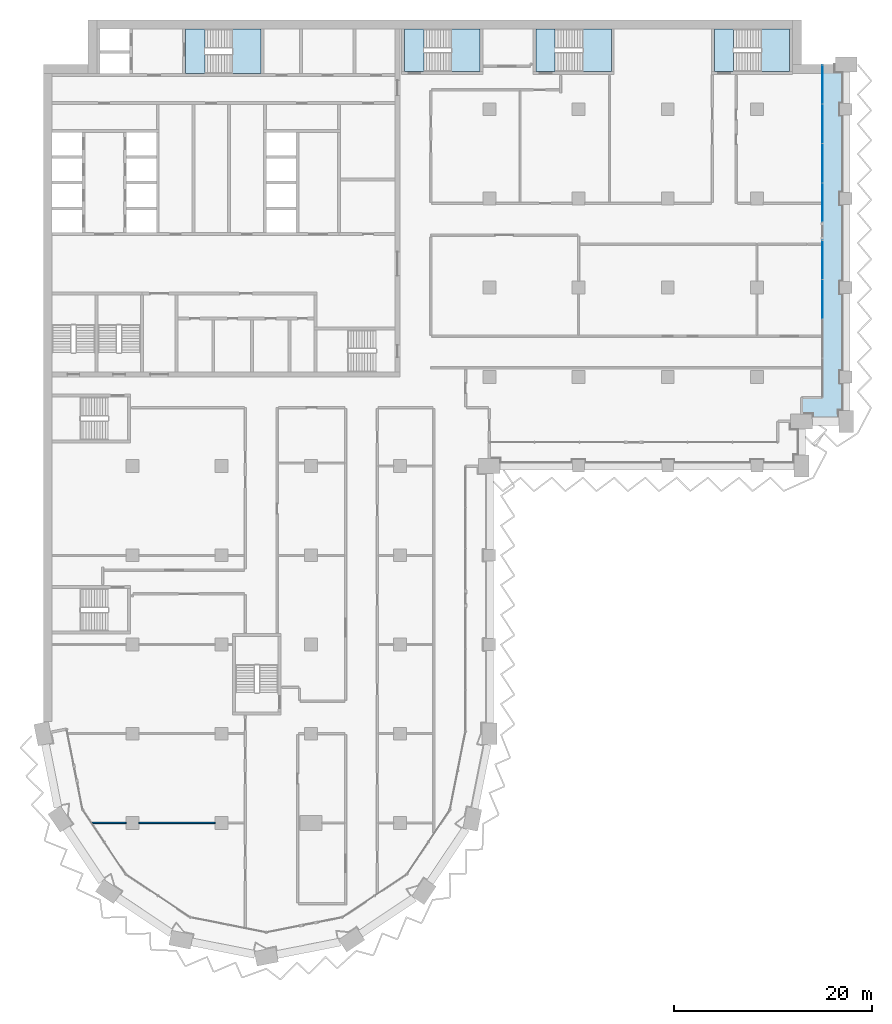
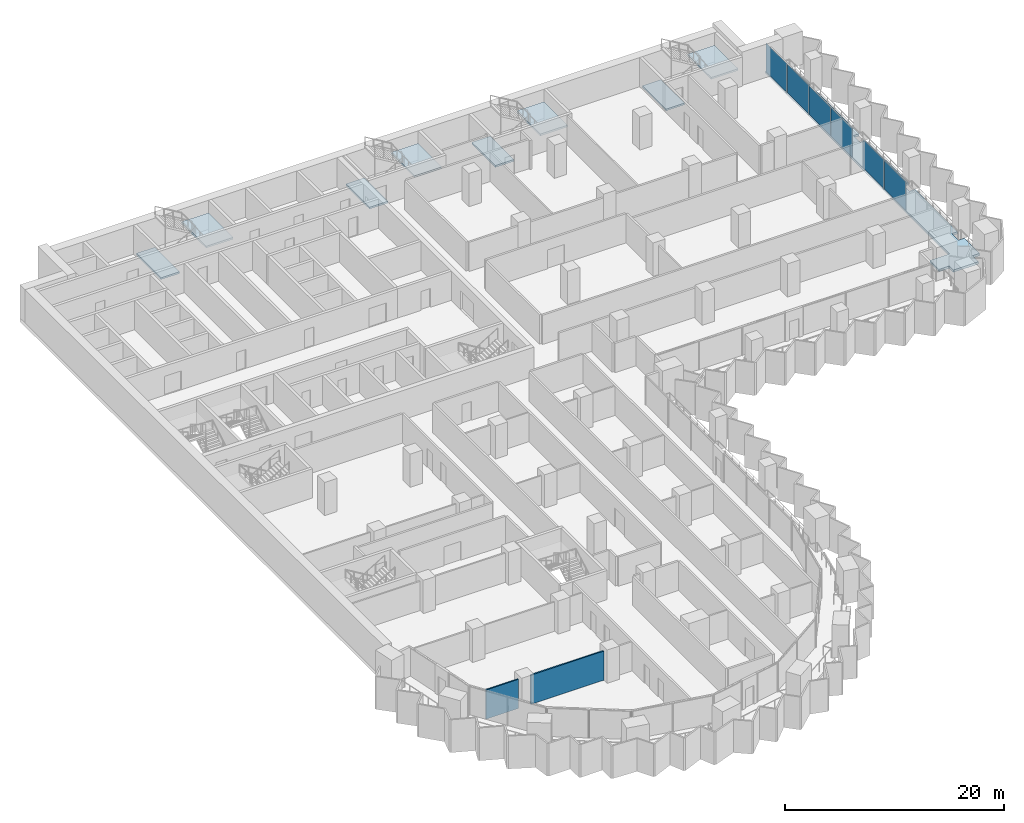
# One storey, part 8 of 23: 9 slabs, 6 plates, 2 walls, 6 elements without a shape of their own.
"""IFC4 building model written with IfcOpenShell, lengths in metres."""

from ifc_helpers import new_model, si_unit, direction, frame, frame_2d, origin, origin_2d, place, context, subcontext, project, spatial, polyline, rectangle, outline, extrude, material, layer, layer_set, type_object, element, aggregate, save


model = new_model("IFC4")

# Units and contexts
model_context = context("Model", 3, precision=1e-05, world=origin(), true_north=direction((0.0, 1.0)))
body_context = subcontext(model_context, "Body", "Model", "MODEL_VIEW")
ifc_project = project(units=[si_unit("LENGTHUNIT", "METRE"), si_unit("AREAUNIT", "SQUARE_METRE"), si_unit("VOLUMEUNIT", "CUBIC_METRE"), si_unit("PLANEANGLEUNIT", "RADIAN"), si_unit("MASSUNIT", "GRAM", prefix="KILO")], contexts=[model_context])

# Site, building, storey
site_placement = place(None, origin())
site = spatial("IfcSite", under=ifc_project, at=site_placement, CompositionType="ELEMENT")
building_placement = place(site_placement, origin())
building = spatial("IfcBuilding", under=site, at=building_placement, Name="Hunhe Ridgeline Campus", CompositionType="ELEMENT")
storey_placement = place(building_placement, frame((0.0, 0.0, 125.5)))
storey = spatial("IfcBuildingStorey", under=building, at=storey_placement, Name="L31", CompositionType="ELEMENT", Elevation=125.5)

# Curtain wall, plates
ifc_material_1 = material(Name="Aluminium 6063", Category="aluminium")
curtain_wall_type = type_object("IfcCurtainWallType", Name="Curtain wall CW-1", PredefinedType="NOTDEFINED", material=ifc_material_1)
curtain_wall_1_placement = place(storey_placement, origin())
curtain_wall_1 = element("IfcCurtainWall", 1, at=curtain_wall_1_placement, inside=storey, type_object=curtain_wall_type, Name="Curtain wall 15", PredefinedType="NOTDEFINED")
ifc_material_2 = material(Name="Low-e laminated glass", Category="glass")
ifc_layer_1 = layer(ifc_material_2, 0.028076171875)
ifc_layer_set_1 = layer_set([ifc_layer_1], Name="Curtain wall glass panel 28 low-e laminated")
plate_type = type_object("IfcPlateType", Name="Curtain wall glass panel 28 low-e laminated", PredefinedType="CURTAIN_PANEL", material=ifc_layer_set_1)
plate_1_placement = place(storey_placement, frame((78.59912109375, 70.838134765625, 0.0), z_axis=(0.0, 0.0, 1.0), x_axis=(0.0, 1.0, 0.0)))
plate_1 = element("IfcPlate", 2, at=plate_1_placement, type_object=plate_type, Name="CW-1 panel 3", PredefinedType="CURTAIN_PANEL", context=body_context, shape_type="SweptSolid", body=[
    extrude(rectangle(XDim=3.914794921875, YDim=0.028076171875, at=origin_2d()), origin(), (0.0, 0.0, 1.0), 3.18994140625),
])
plate_2_placement = place(storey_placement, frame((78.59912109375, 74.798095703125, 0.0), z_axis=(0.0, 0.0, 1.0), x_axis=(0.0, 1.0, 0.0)))
plate_2 = element("IfcPlate", 3, at=plate_2_placement, type_object=plate_type, Name="CW-1 panel 4", PredefinedType="CURTAIN_PANEL", context=body_context, shape_type="SweptSolid", body=[
    extrude(rectangle(XDim=3.884765625, YDim=0.028076171875, at=origin_2d()), origin(), (0.0, 0.0, 1.0), 3.18994140625),
])
aggregate(curtain_wall_1, [plate_1, plate_2])

curtain_wall_2_placement = place(storey_placement, origin())
curtain_wall_2 = element("IfcCurtainWall", 4, at=curtain_wall_2_placement, inside=storey, type_object=curtain_wall_type, Name="Curtain wall 16", PredefinedType="NOTDEFINED")
plate_3_placement = place(storey_placement, frame((78.59912109375, 80.60302734375, 0.0), z_axis=(0.0, 0.0, 1.0), x_axis=(0.0, 1.0, 0.0)))
plate_3 = element("IfcPlate", 5, at=plate_3_placement, type_object=plate_type, Name="CW-1 panel 1", PredefinedType="CURTAIN_PANEL", context=body_context, shape_type="SweptSolid", body=[
    extrude(rectangle(XDim=3.884765625, YDim=0.028076171875, at=origin_2d()), origin(), (0.0, 0.0, 1.0), 3.18994140625),
])
plate_4_placement = place(storey_placement, frame((78.59912109375, 84.562744140625, 0.0), z_axis=(0.0, 0.0, 1.0), x_axis=(0.0, 1.0, 0.0)))
plate_4 = element("IfcPlate", 6, at=plate_4_placement, type_object=plate_type, Name="CW-1 panel 2", PredefinedType="CURTAIN_PANEL", context=body_context, shape_type="SweptSolid", body=[
    extrude(rectangle(XDim=3.914794921875, YDim=0.028076171875, at=origin_2d()), origin(), (0.0, 0.0, 1.0), 3.18994140625),
])
plate_5_placement = place(storey_placement, frame((78.59912109375, 88.53759765625, 0.0), z_axis=(0.0, 0.0, 1.0), x_axis=(0.0, 1.0, 0.0)))
plate_5 = element("IfcPlate", 7, at=plate_5_placement, type_object=plate_type, Name="CW-1 panel 3", PredefinedType="CURTAIN_PANEL", context=body_context, shape_type="SweptSolid", body=[
    extrude(rectangle(XDim=3.914794921875, YDim=0.028076171875, at=origin_2d()), origin(), (0.0, 0.0, 1.0), 3.18994140625),
])
plate_6_placement = place(storey_placement, frame((78.59912109375, 92.49755859375, 0.0), z_axis=(0.0, 0.0, 1.0), x_axis=(0.0, 1.0, 0.0)))
plate_6 = element("IfcPlate", 8, at=plate_6_placement, type_object=plate_type, Name="CW-1 panel 4", PredefinedType="CURTAIN_PANEL", context=body_context, shape_type="SweptSolid", body=[
    extrude(rectangle(XDim=3.884765625, YDim=0.028076171875, at=origin_2d()), origin(), (0.0, 0.0, 1.0), 3.18994140625),
])
aggregate(curtain_wall_2, [plate_3, plate_4, plate_5, plate_6])

# Slab
ifc_material_3 = material(Name="Concrete C40", Category="concrete")
ifc_layer_2 = layer(ifc_material_3, 0.25)
ifc_layer_set_2 = layer_set([ifc_layer_2], Name="Loggia slab 250 Concrete C40")
slab_type_1 = type_object("IfcSlabType", Name="Loggia slab 250 Concrete C40", PredefinedType="FLOOR", material=ifc_layer_set_2)
slab_1_placement = place(storey_placement, frame((0.0, 0.0, -0.25)))
element("IfcSlab", 9, at=slab_1_placement, inside=storey, type_object=slab_type_1, Name="Loggia slab 3", PredefinedType="FLOOR", context=body_context, shape_type="SweptSolid", body=[
    extrude(outline(polyline([(76.5, 59.25), (77.60009765625, 59.25), (77.60009765625, 58.5), (80.25, 58.5), (80.25, 59.60009765625), (81.0, 59.60009765625), (81.0, 62.39990234375), (80.39990234375, 62.39990234375), (80.39990234375, 63.60009765625), (81.0, 63.60009765625), (81.0, 71.39990234375), (80.39990234375, 71.39990234375), (80.39990234375, 72.60009765625), (81.0, 72.60009765625), (81.0, 80.39990234375), (80.39990234375, 80.39990234375), (80.39990234375, 81.60009765625), (81.0, 81.60009765625), (81.0, 89.39990234375), (80.39990234375, 89.39990234375), (80.39990234375, 90.60009765625), (81.0, 90.60009765625), (81.0, 93.75), (79.89990234375, 93.75), (79.89990234375, 94.5), (78.60009765625, 94.5), (78.60009765625, 60.89990234375), (76.5, 60.89990234375), (76.5, 59.25)])), origin(), (0.0, 0.0, 1.0), 0.25),
])

# Stair, slab
stair_type = type_object("IfcStairType", Name="Reinforced concrete dog-leg stair 1950 Concrete C40", PredefinedType="HALF_TURN_STAIR", material=ifc_material_3)
stair_1_placement = place(storey_placement, origin())
stair_1 = element("IfcStair", 10, at=stair_1_placement, inside=storey, type_object=stair_type, Name="L31 S1", PredefinedType="HALF_TURN_STAIR")
ifc_layer_3 = layer(ifc_material_3, 0.199951171875)
ifc_layer_set_3 = layer_set([ifc_layer_3], Name="Reinforced concrete stair landing 200 Concrete C40")
slab_type_2 = type_object("IfcSlabType", Name="Reinforced concrete stair landing 200 Concrete C40", PredefinedType="LANDING", material=ifc_layer_set_3)
slab_2_placement = place(storey_placement, frame((0.0, 0.0, 1.64990234375)))
slab_2 = element("IfcSlab", 11, at=slab_2_placement, type_object=slab_type_2, Name="ST1 landing 1", PredefinedType="LANDING", context=body_context, shape_type="SweptSolid", body=[
    extrude(outline(polyline([(19.10009765625, 93.60009765625), (21.949951171875, 93.60009765625), (21.949951171875, 98.10009765625), (19.10009765625, 98.10009765625), (19.10009765625, 93.60009765625)])), origin(), (0.0, 0.0, 1.0), 0.2001953125),
])
aggregate(stair_1, [slab_2])

# Slab
slab_3_placement = place(storey_placement, frame((0.0, 0.0, -0.199951171875)))
element("IfcSlab", 12, at=slab_3_placement, inside=storey, type_object=slab_type_2, Name="L31 stair S1 floor landing", PredefinedType="LANDING", context=body_context, shape_type="SweptSolid", body=[
    extrude(outline(polyline([(14.35009765625, 93.60009765625), (16.300048828125, 93.60009765625), (16.300048828125, 98.10009765625), (14.35009765625, 98.10009765625), (14.35009765625, 93.60009765625)])), origin(), (0.0, 0.0, 1.0), 0.199951171875),
])

# Stair, slab
stair_2_placement = place(storey_placement, origin())
stair_2 = element("IfcStair", 13, at=stair_2_placement, inside=storey, type_object=stair_type, Name="L31 E1", PredefinedType="HALF_TURN_STAIR")
slab_4_placement = place(storey_placement, frame((0.0, 0.0, 1.64990234375)))
slab_4 = element("IfcSlab", 14, at=slab_4_placement, type_object=slab_type_2, Name="ST5 landing 1", PredefinedType="LANDING", context=body_context, shape_type="SweptSolid", body=[
    extrude(outline(polyline([(41.199951171875, 93.800048828125), (44.050048828125, 93.800048828125), (44.050048828125, 98.10009765625), (41.199951171875, 98.10009765625), (41.199951171875, 93.800048828125)])), origin(), (0.0, 0.0, 1.0), 0.2001953125),
])
aggregate(stair_2, [slab_4])

# Slab
slab_5_placement = place(storey_placement, frame((0.0, 0.0, -0.199951171875)))
element("IfcSlab", 15, at=slab_5_placement, inside=storey, type_object=slab_type_2, Name="L31 stair E1 floor landing", PredefinedType="LANDING", context=body_context, shape_type="SweptSolid", body=[
    extrude(outline(polyline([(36.449951171875, 93.800048828125), (38.39990234375, 93.800048828125), (38.39990234375, 98.10009765625), (36.449951171875, 98.10009765625), (36.449951171875, 93.800048828125)])), origin(), (0.0, 0.0, 1.0), 0.199951171875),
])

# Stair, slab
stair_3_placement = place(storey_placement, origin())
stair_3 = element("IfcStair", 16, at=stair_3_placement, inside=storey, type_object=stair_type, Name="L31 E2", PredefinedType="HALF_TURN_STAIR")
slab_6_placement = place(storey_placement, frame((0.0, 0.0, 1.64990234375)))
slab_6 = element("IfcSlab", 17, at=slab_6_placement, type_object=slab_type_2, Name="ST6 landing 1", PredefinedType="LANDING", context=body_context, shape_type="SweptSolid", body=[
    extrude(outline(polyline([(54.449951171875, 93.800048828125), (57.300048828125, 93.800048828125), (57.300048828125, 98.10009765625), (54.449951171875, 98.10009765625), (54.449951171875, 93.800048828125)])), origin(), (0.0, 0.0, 1.0), 0.2001953125),
])
aggregate(stair_3, [slab_6])

# Slab
slab_7_placement = place(storey_placement, frame((0.0, 0.0, -0.199951171875)))
element("IfcSlab", 18, at=slab_7_placement, inside=storey, type_object=slab_type_2, Name="L31 stair E2 floor landing", PredefinedType="LANDING", context=body_context, shape_type="SweptSolid", body=[
    extrude(outline(polyline([(49.699951171875, 93.800048828125), (51.64990234375, 93.800048828125), (51.64990234375, 98.10009765625), (49.699951171875, 98.10009765625), (49.699951171875, 93.800048828125)])), origin(), (0.0, 0.0, 1.0), 0.199951171875),
])

# Stair, slab
stair_4_placement = place(storey_placement, origin())
stair_4 = element("IfcStair", 19, at=stair_4_placement, inside=storey, type_object=stair_type, Name="L31 E3", PredefinedType="HALF_TURN_STAIR")
slab_8_placement = place(storey_placement, frame((0.0, 0.0, 1.64990234375)))
slab_8 = element("IfcSlab", 20, at=slab_8_placement, type_object=slab_type_2, Name="ST7 landing 1", PredefinedType="LANDING", context=body_context, shape_type="SweptSolid", body=[
    extrude(outline(polyline([(72.449951171875, 93.800048828125), (75.300048828125, 93.800048828125), (75.300048828125, 98.10009765625), (72.449951171875, 98.10009765625), (72.449951171875, 93.800048828125)])), origin(), (0.0, 0.0, 1.0), 0.2001953125),
])
aggregate(stair_4, [slab_8])

# Slab
slab_9_placement = place(storey_placement, frame((0.0, 0.0, -0.199951171875)))
element("IfcSlab", 21, at=slab_9_placement, inside=storey, type_object=slab_type_2, Name="L31 stair E3 floor landing", PredefinedType="LANDING", context=body_context, shape_type="SweptSolid", body=[
    extrude(outline(polyline([(67.699951171875, 93.800048828125), (69.64990234375, 93.800048828125), (69.64990234375, 98.10009765625), (67.699951171875, 98.10009765625), (67.699951171875, 93.800048828125)])), origin(), (0.0, 0.0, 1.0), 0.199951171875),
])

# Walls
ifc_material_4 = material(Name="Gypsum board partition")
ifc_layer_4 = layer(ifc_material_4, 0.14990234375)
ifc_layer_set_4 = layer_set([ifc_layer_4], Name="Room partition 150 gypsum board on steel studs")
wall_type = type_object("IfcWallType", Name="Room partition 150 gypsum board on steel studs", PredefinedType="PARTITIONING", material=ifc_layer_set_4)
wall_1_placement = place(storey_placement, frame((4.925537109375, 18.0, 0.0), z_axis=(0.0, 0.0, 1.0), x_axis=(1.0, 0.0, 0.0)))
element("IfcWall", 22, at=wall_1_placement, inside=storey, type_object=wall_type, Name="F-L31-wall-002", PredefinedType="PARTITIONING", context=body_context, shape_type="SweptSolid", body=[
    extrude(rectangle(XDim=3.424560546875, YDim=0.14990234375, at=frame_2d((1.71240234375, 0.0))), origin(), (0.0, 0.0, 1.0), 3.25),
])
wall_2_placement = place(storey_placement, frame((9.64990234375, 18.0, 0.0), z_axis=(0.0, 0.0, 1.0), x_axis=(1.0, 0.0, 0.0)))
element("IfcWall", 23, at=wall_2_placement, inside=storey, type_object=wall_type, Name="F-L31-wall-003", PredefinedType="PARTITIONING", context=body_context, shape_type="SweptSolid", body=[
    extrude(rectangle(XDim=7.7001953125, YDim=0.14990234375, at=frame_2d((3.85009765625, 0.0))), origin(), (0.0, 0.0, 1.0), 3.25),
])

save(model, "model.ifc")
